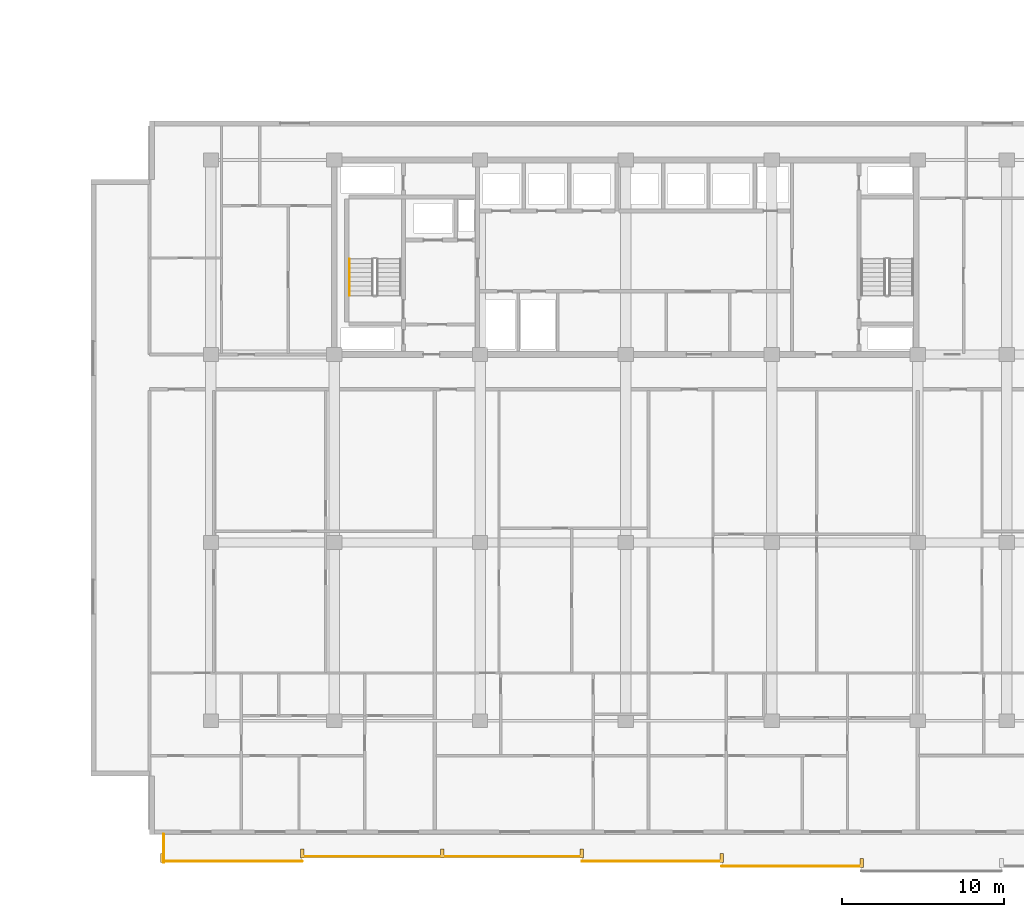
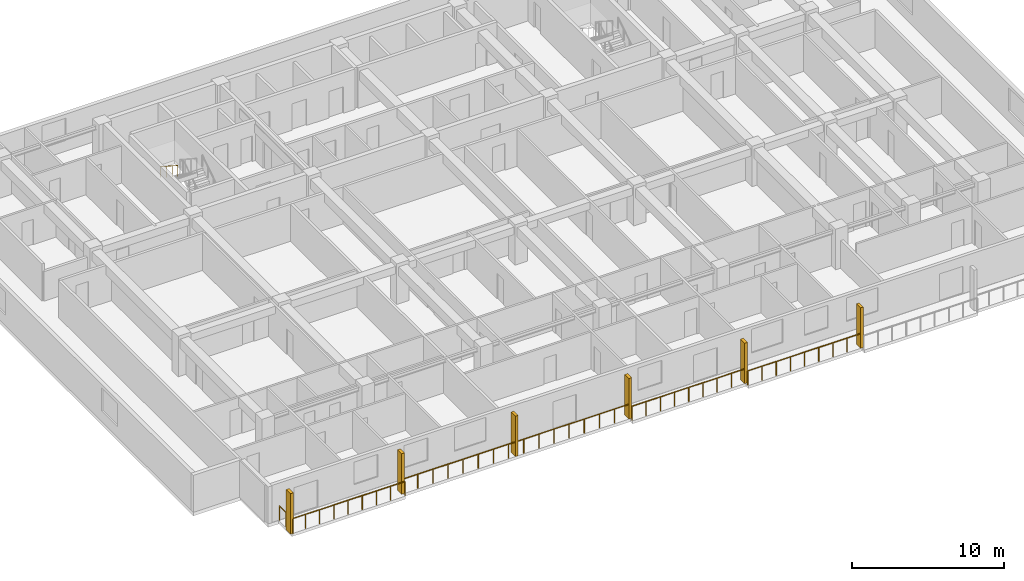
# One storey, part 19 of 23: 6 railings, 6 shading devices.
"""IFC4 building model written with IfcOpenShell, lengths in metres."""

import ifcopenshell
import ifcopenshell.guid

model = None  # the IFC model being written
_history = None  # IfcOwnerHistory: only IFC2X3 demands one
_inside = {}  # id of a spatial element -> (the spatial element, [elements in it])
_under = {}  # id of a project, library or spatial element -> (it, [spatial elements below it])
_declared = {}  # id of a project -> (the project, [libraries it declares])
_typed = {}  # id of a type object -> (the type object, [elements of that type])
_made_of = {}  # id of a material, layer set ... -> (it, [elements and type objects made of it])


def new_model(schema):
    """Start an empty IFC model of exactly this schema.

    Asked for "IFC4X3", IfcOpenShell would pick the latest addendum, in which some entities
    have other attributes; the version numbers below select the first issue.
    IFC2X3 requires an IfcOwnerHistory on every rooted entity: one is made here for all.
    """
    global model, _history
    if schema == "IFC4X3":
        model = ifcopenshell.file(schema_version=(4, 3, 0, 0))
    else:
        model = ifcopenshell.file(schema=schema)
    _inside.clear()
    _under.clear()
    _declared.clear()
    _typed.clear()
    _made_of.clear()
    _history = None
    if model.schema == "IFC2X3":
        org = make("IfcOrganization", Name="unknown")
        user = make(
            "IfcPersonAndOrganization",
            ThePerson=make("IfcPerson", FamilyName="unknown"),
            TheOrganization=org,
        )
        app = make(
            "IfcApplication",
            ApplicationDeveloper=org,
            Version="unknown",
            ApplicationFullName="unknown",
            ApplicationIdentifier="unknown",
        )
        _history = make(
            "IfcOwnerHistory",
            OwningUser=user,
            OwningApplication=app,
            ChangeAction="ADDED",
            CreationDate=0,
        )
    return model


def make(cls, **values):
    """One entity of the class cls with the attributes given. An attribute that is None is left unset."""
    return model.create_entity(
        cls, **{name: value for name, value in values.items() if value is not None}
    )


def rooted(cls, **values):
    """An entity with a GlobalId (a new one), such as an element, a storey or a relation."""
    return make(cls, GlobalId=ifcopenshell.guid.new(), OwnerHistory=_history, **values)


def si_unit(unit_type, name, prefix=None):
    """IfcSIUnit, for example si_unit("LENGTHUNIT", "METRE", prefix="MILLI")."""
    return make("IfcSIUnit", UnitType=unit_type, Prefix=prefix, Name=name)


def assignment(units):
    """IfcUnitAssignment: the units of a project."""
    return None if units is None else make("IfcUnitAssignment", Units=units)


def point(xyz):
    """IfcCartesianPoint."""
    return None if xyz is None else make("IfcCartesianPoint", Coordinates=xyz)


def direction(xyz):
    """IfcDirection."""
    return None if xyz is None else make("IfcDirection", DirectionRatios=xyz)


def frame(location, z_axis=None, x_axis=None):
    """IfcAxis2Placement3D, a coordinate frame: its origin and axes. An axis left out is left unset."""
    return make(
        "IfcAxis2Placement3D",
        Location=point(location),
        Axis=direction(z_axis),
        RefDirection=direction(x_axis),
    )


def frame_2d(location, x_axis=None):
    """IfcAxis2Placement2D, a coordinate frame in the plane: its origin and x axis."""
    return make(
        "IfcAxis2Placement2D", Location=point(location), RefDirection=direction(x_axis)
    )


def origin():
    """The frame at (0, 0, 0) with its axes left unset."""
    return frame((0.0, 0.0, 0.0))


def origin_2d():
    """The frame at (0, 0) in the plane with its x axis left unset."""
    return frame_2d((0.0, 0.0))


def place(relative_to, where):
    """IfcLocalPlacement: puts the frame where relative to a parent placement (None: the world)."""
    return make(
        "IfcLocalPlacement", PlacementRelTo=relative_to, RelativePlacement=where
    )


def context(
    kind, dimensions, precision=None, world=None, true_north=None, identifier=None
):
    """IfcGeometricRepresentationContext, for example the 3D "Model" context."""
    return make(
        "IfcGeometricRepresentationContext",
        ContextIdentifier=identifier,
        ContextType=kind,
        CoordinateSpaceDimension=dimensions,
        Precision=precision,
        WorldCoordinateSystem=world,
        TrueNorth=true_north,
    )


def subcontext(parent, identifier, kind, view, scale=None):
    """IfcGeometricRepresentationSubContext, for example "Body" below "Model"."""
    return make(
        "IfcGeometricRepresentationSubContext",
        ContextIdentifier=identifier,
        ContextType=kind,
        ParentContext=parent,
        TargetScale=scale,
        TargetView=view,
    )


def project(units=None, contexts=None):
    """IfcProject with its units and contexts."""
    return rooted(
        "IfcProject",
        Name="project",
        RepresentationContexts=contexts,
        UnitsInContext=assignment(units),
    )


def spatial(cls, under=None, at=None, **own):
    """A site, building, storey or space (cls), placed at a placement, below another one or the project."""
    s = rooted(cls, ObjectPlacement=at, **own)
    if under is not None:
        _under.setdefault(under.id(), (under, []))[1].append(s)
    return s


def profile(cls, at=None, kind="AREA", **sizes):
    """A parametric profile (cls). Its sizes go by their IFC names, for example OverallWidth=200.0."""
    return make(cls, ProfileType=kind, Position=at, **sizes)


def rectangle(**sizes):
    """IfcRectangleProfileDef."""
    return profile("IfcRectangleProfileDef", **sizes)


def circle(**sizes):
    """IfcCircleProfileDef."""
    return profile("IfcCircleProfileDef", **sizes)


def extrude(swept, where, along, depth):
    """IfcExtrudedAreaSolid: the profile swept, set in the frame where, extruded along a direction by depth."""
    return make(
        "IfcExtrudedAreaSolid",
        SweptArea=swept,
        Position=where,
        ExtrudedDirection=direction(along),
        Depth=depth,
    )


def shape(context_of_items, identifier, shape_type, items):
    """IfcShapeRepresentation: the items that make up one representation, for example the "Body"."""
    return make(
        "IfcShapeRepresentation",
        ContextOfItems=context_of_items,
        RepresentationIdentifier=identifier,
        RepresentationType=shape_type,
        Items=items,
    )


def material(Name=None, Category=None):
    """IfcMaterial."""
    return make("IfcMaterial", Name=Name, Category=Category)


def made_of(thing, what):
    """Note that an element or type object is made of a material, layer set ...; save() writes the relation."""
    if what is not None:
        _made_of.setdefault(what.id(), (what, []))[1].append(thing)
    return thing


def type_object(cls, material=None, **own):
    """A type object (cls), such as IfcWallType, which elements share."""
    return made_of(rooted(cls, **own), material)


def element(
    cls,
    number,
    at=None,
    inside=None,
    cuts=None,
    type_object=None,
    material=None,
    context=None,
    identifier="Body",
    shape_type=None,
    held_by="IfcProductDefinitionShape",
    body=None,
    shapes=None,
    **own,
):
    """One element of the class cls, such as IfcWall. Its Tag is "e" and its number.

    at: its placement. inside: the storey or other place that contains it. cuts: it is an
    opening in that element (IfcRelVoidsElement). A single representation is given by context,
    identifier, shape_type and body (its items); several are given by shapes. held_by: the class
    of the entity that holds the representations. save() writes the other relations.
    """
    e = rooted(cls, Tag="e%d" % number, ObjectPlacement=at, **own)
    if body is not None:
        shapes = [shape(context, identifier, shape_type, body)]
    if shapes is not None:
        e.Representation = make(held_by, Representations=shapes)
    if inside is not None:
        _inside.setdefault(inside.id(), (inside, []))[1].append(e)
    if cuts is not None:
        rooted(
            "IfcRelVoidsElement", RelatingBuildingElement=cuts, RelatedOpeningElement=e
        )
    if type_object is not None:
        _typed.setdefault(type_object.id(), (type_object, []))[1].append(e)
    return made_of(e, material)


def aggregate(whole, parts):
    """IfcRelAggregates: a whole, such as a stair, and the parts it consists of."""
    return rooted("IfcRelAggregates", RelatingObject=whole, RelatedObjects=parts)


def save(model, path):
    """Write the relations noted so far, then the file.

    IfcRelAggregates (storeys below a building ...), IfcRelContainedInSpatialStructure (elements
    in a storey), IfcRelDefinesByType, IfcRelAssociatesMaterial and IfcRelDeclares: one each for
    every whole, place, type object, material and project.
    """
    for whole, parts in _under.values():
        aggregate(whole, parts)
    for where, things in _inside.values():
        rooted(
            "IfcRelContainedInSpatialStructure",
            RelatedElements=things,
            RelatingStructure=where,
        )
    for kind, things in _typed.values():
        rooted("IfcRelDefinesByType", RelatedObjects=things, RelatingType=kind)
    for what, things in _made_of.values():
        rooted("IfcRelAssociatesMaterial", RelatedObjects=things, RelatingMaterial=what)
    for by, libraries in _declared.values():
        rooted("IfcRelDeclares", RelatingContext=by, RelatedDefinitions=libraries)
    model.write(path)


model = new_model("IFC4")

# Units and contexts
model_context = context("Model", 3, precision=1e-05, world=origin(), true_north=direction((0.0, 1.0)))
body_context = subcontext(model_context, "Body", "Model", "MODEL_VIEW")
ifc_project = project(units=[si_unit("LENGTHUNIT", "METRE"), si_unit("AREAUNIT", "SQUARE_METRE"), si_unit("VOLUMEUNIT", "CUBIC_METRE"), si_unit("PLANEANGLEUNIT", "RADIAN"), si_unit("MASSUNIT", "GRAM", prefix="KILO")], contexts=[model_context])

# Site, building, storey
site_placement = place(None, origin())
site = spatial("IfcSite", under=ifc_project, at=site_placement, CompositionType="ELEMENT")
building_placement = place(site_placement, origin())
building = spatial("IfcBuilding", under=site, at=building_placement, Name="Korimba Cascade Residences", CompositionType="ELEMENT")
storey_placement = place(building_placement, frame((0.0, 0.0, 72.75)))
storey = spatial("IfcBuildingStorey", under=building, at=storey_placement, Name="L20", CompositionType="ELEMENT", Elevation=72.75)

# Railings
ifc_material_1 = material(Name="Laminated Glass and Bronze Balustrade", Category="glass")
railing_type_1 = type_object("IfcRailingType", Name="RLG-LOG-1150", PredefinedType="BALUSTRADE", material=ifc_material_1)
railing_1_placement = place(storey_placement, frame((71.5, -12.8701171875, 0.0)))
element("IfcRailing", 1, at=railing_1_placement, inside=storey, type_object=railing_type_1, Name="L20 Perimeter Guardrail RLG-L20-T2-LOG-01", PredefinedType="BALUSTRADE", context=body_context, shape_type="SweptSolid", body=[
    extrude(circle(Radius=0.02392578125, at=origin_2d()), frame((0.0, 0.0, 1.1259765625), z_axis=(1.0, 0.0, 0.0), x_axis=(0.0, 1.0, 0.0)), (0.0, 0.0, 1.0), 8.628662109375),
    extrude(circle(Radius=0.02099609375, at=origin_2d()), origin(), (0.0, 0.0, 1.0), 1.101806640625),
    extrude(circle(Radius=0.02099609375, at=origin_2d()), frame((1.07861328125, 0.0, 0.0)), (0.0, 0.0, 1.0), 1.101806640625),
    extrude(circle(Radius=0.02099609375, at=origin_2d()), frame((2.1572265625, 0.0, 0.0)), (0.0, 0.0, 1.0), 1.101806640625),
    extrude(circle(Radius=0.02099609375, at=origin_2d()), frame((3.23583984375, 0.0, 0.0)), (0.0, 0.0, 1.0), 1.101806640625),
    extrude(circle(Radius=0.02099609375, at=origin_2d()), frame((4.314453125, 0.0, 0.0)), (0.0, 0.0, 1.0), 1.101806640625),
    extrude(circle(Radius=0.02099609375, at=origin_2d()), frame((5.392822265625, 0.0, 0.0)), (0.0, 0.0, 1.0), 1.101806640625),
    extrude(circle(Radius=0.02099609375, at=origin_2d()), frame((6.471435546875, 0.0, 0.0)), (0.0, 0.0, 1.0), 1.101806640625),
    extrude(circle(Radius=0.02099609375, at=origin_2d()), frame((7.550048828125, 0.0, 0.0)), (0.0, 0.0, 1.0), 1.101806640625),
    extrude(circle(Radius=0.02099609375, at=origin_2d()), frame((8.628662109375, 0.0, 0.0)), (0.0, 0.0, 1.0), 1.101806640625),
])
railing_2_placement = place(storey_placement, frame((80.128662109375, -12.570068359375, 0.0)))
element("IfcRailing", 2, at=railing_2_placement, inside=storey, type_object=railing_type_1, Name="L20 Perimeter Guardrail RLG-L20-T2-LOG-02", PredefinedType="BALUSTRADE", context=body_context, shape_type="SweptSolid", body=[
    extrude(circle(Radius=0.02392578125, at=origin_2d()), frame((0.0, 0.0, 1.1259765625), z_axis=(1.0, 0.0, 0.0), x_axis=(0.0, 1.0, 0.0)), (0.0, 0.0, 1.0), 17.257080078125),
    extrude(circle(Radius=0.02099609375, at=origin_2d()), origin(), (0.0, 0.0, 1.0), 1.101806640625),
    extrude(circle(Radius=0.02099609375, at=origin_2d()), frame((1.150390625, 0.0, 0.0)), (0.0, 0.0, 1.0), 1.101806640625),
    extrude(circle(Radius=0.02099609375, at=origin_2d()), frame((2.301025390625, 0.0, 0.0)), (0.0, 0.0, 1.0), 1.101806640625),
    extrude(circle(Radius=0.02099609375, at=origin_2d()), frame((3.451416015625, 0.0, 0.0)), (0.0, 0.0, 1.0), 1.101806640625),
    extrude(circle(Radius=0.02099609375, at=origin_2d()), frame((4.601806640625, 0.0, 0.0)), (0.0, 0.0, 1.0), 1.101806640625),
    extrude(circle(Radius=0.02099609375, at=origin_2d()), frame((5.75244140625, 0.0, 0.0)), (0.0, 0.0, 1.0), 1.101806640625),
    extrude(circle(Radius=0.02099609375, at=origin_2d()), frame((6.90283203125, 0.0, 0.0)), (0.0, 0.0, 1.0), 1.101806640625),
    extrude(circle(Radius=0.02099609375, at=origin_2d()), frame((8.05322265625, 0.0, 0.0)), (0.0, 0.0, 1.0), 1.101806640625),
    extrude(circle(Radius=0.02099609375, at=origin_2d()), frame((9.203857421875, 0.0, 0.0)), (0.0, 0.0, 1.0), 1.101806640625),
    extrude(circle(Radius=0.02099609375, at=origin_2d()), frame((10.354248046875, 0.0, 0.0)), (0.0, 0.0, 1.0), 1.101806640625),
    extrude(circle(Radius=0.02099609375, at=origin_2d()), frame((11.504638671875, 0.0, 0.0)), (0.0, 0.0, 1.0), 1.101806640625),
    extrude(circle(Radius=0.02099609375, at=origin_2d()), frame((12.6552734375, 0.0, 0.0)), (0.0, 0.0, 1.0), 1.101806640625),
    extrude(circle(Radius=0.02099609375, at=origin_2d()), frame((13.8056640625, 0.0, 0.0)), (0.0, 0.0, 1.0), 1.101806640625),
    extrude(circle(Radius=0.02099609375, at=origin_2d()), frame((14.9560546875, 0.0, 0.0)), (0.0, 0.0, 1.0), 1.101806640625),
    extrude(circle(Radius=0.02099609375, at=origin_2d()), frame((16.106689453125, 0.0, 0.0)), (0.0, 0.0, 1.0), 1.101806640625),
    extrude(circle(Radius=0.02099609375, at=origin_2d()), frame((17.257080078125, 0.0, 0.0)), (0.0, 0.0, 1.0), 1.101806640625),
])
railing_3_placement = place(storey_placement, frame((97.3857421875, -12.8701171875, 0.0)))
element("IfcRailing", 3, at=railing_3_placement, inside=storey, type_object=railing_type_1, Name="L20 Perimeter Guardrail RLG-L20-T2-LOG-03", PredefinedType="BALUSTRADE", context=body_context, shape_type="SweptSolid", body=[
    extrude(circle(Radius=0.02392578125, at=origin_2d()), frame((0.0, 0.0, 1.1259765625), z_axis=(1.0, 0.0, 0.0), x_axis=(0.0, 1.0, 0.0)), (0.0, 0.0, 1.0), 8.628662109375),
    extrude(circle(Radius=0.02099609375, at=origin_2d()), origin(), (0.0, 0.0, 1.0), 1.101806640625),
    extrude(circle(Radius=0.02099609375, at=origin_2d()), frame((1.07861328125, 0.0, 0.0)), (0.0, 0.0, 1.0), 1.101806640625),
    extrude(circle(Radius=0.02099609375, at=origin_2d()), frame((2.1572265625, 0.0, 0.0)), (0.0, 0.0, 1.0), 1.101806640625),
    extrude(circle(Radius=0.02099609375, at=origin_2d()), frame((3.23583984375, 0.0, 0.0)), (0.0, 0.0, 1.0), 1.101806640625),
    extrude(circle(Radius=0.02099609375, at=origin_2d()), frame((4.314453125, 0.0, 0.0)), (0.0, 0.0, 1.0), 1.101806640625),
    extrude(circle(Radius=0.02099609375, at=origin_2d()), frame((5.392822265625, 0.0, 0.0)), (0.0, 0.0, 1.0), 1.101806640625),
    extrude(circle(Radius=0.02099609375, at=origin_2d()), frame((6.471435546875, 0.0, 0.0)), (0.0, 0.0, 1.0), 1.101806640625),
    extrude(circle(Radius=0.02099609375, at=origin_2d()), frame((7.550048828125, 0.0, 0.0)), (0.0, 0.0, 1.0), 1.101806640625),
    extrude(circle(Radius=0.02099609375, at=origin_2d()), frame((8.628662109375, 0.0, 0.0)), (0.0, 0.0, 1.0), 1.101806640625),
])
railing_4_placement = place(storey_placement, frame((106.014404296875, -13.169921875, 0.0)))
element("IfcRailing", 4, at=railing_4_placement, inside=storey, type_object=railing_type_1, Name="L20 Perimeter Guardrail RLG-L20-T2-LOG-04", PredefinedType="BALUSTRADE", context=body_context, shape_type="SweptSolid", body=[
    extrude(circle(Radius=0.02392578125, at=origin_2d()), frame((0.0, 0.0, 1.1259765625), z_axis=(1.0, 0.0, 0.0), x_axis=(0.0, 1.0, 0.0)), (0.0, 0.0, 1.0), 8.62841796875),
    extrude(circle(Radius=0.02099609375, at=origin_2d()), origin(), (0.0, 0.0, 1.0), 1.101806640625),
    extrude(circle(Radius=0.02099609375, at=origin_2d()), frame((1.07861328125, 0.0, 0.0)), (0.0, 0.0, 1.0), 1.101806640625),
    extrude(circle(Radius=0.02099609375, at=origin_2d()), frame((2.1572265625, 0.0, 0.0)), (0.0, 0.0, 1.0), 1.101806640625),
    extrude(circle(Radius=0.02099609375, at=origin_2d()), frame((3.235595703125, 0.0, 0.0)), (0.0, 0.0, 1.0), 1.101806640625),
    extrude(circle(Radius=0.02099609375, at=origin_2d()), frame((4.314208984375, 0.0, 0.0)), (0.0, 0.0, 1.0), 1.101806640625),
    extrude(circle(Radius=0.02099609375, at=origin_2d()), frame((5.392822265625, 0.0, 0.0)), (0.0, 0.0, 1.0), 1.101806640625),
    extrude(circle(Radius=0.02099609375, at=origin_2d()), frame((6.47119140625, 0.0, 0.0)), (0.0, 0.0, 1.0), 1.101806640625),
    extrude(circle(Radius=0.02099609375, at=origin_2d()), frame((7.5498046875, 0.0, 0.0)), (0.0, 0.0, 1.0), 1.101806640625),
    extrude(circle(Radius=0.02099609375, at=origin_2d()), frame((8.62841796875, 0.0, 0.0)), (0.0, 0.0, 1.0), 1.101806640625),
])
railing_5_placement = place(storey_placement, frame((71.580078125, -11.199951171875, 0.0)))
element("IfcRailing", 5, at=railing_5_placement, inside=storey, type_object=railing_type_1, Name="L20 Perimeter Guardrail RLG-L20-T2-LOG-08", PredefinedType="BALUSTRADE", context=body_context, shape_type="SweptSolid", body=[
    extrude(circle(Radius=0.02392578125, at=origin_2d()), frame((0.0, 0.0, 1.1259765625), z_axis=(0.0, -1.0, 0.0), x_axis=(1.0, 0.0, 0.0)), (0.0, 0.0, 1.0), 1.75),
    extrude(circle(Radius=0.02099609375, at=origin_2d()), origin(), (0.0, 0.0, 1.0), 1.101806640625),
    extrude(circle(Radius=0.02099609375, at=origin_2d()), frame((0.0, -0.875, 0.0)), (0.0, 0.0, 1.0), 1.101806640625),
    extrude(circle(Radius=0.02099609375, at=origin_2d()), frame((0.0, -1.75, 0.0)), (0.0, 0.0, 1.0), 1.101806640625),
])
ifc_material_2 = material(Name="Brushed Stainless Steel Handrail", Category="steel")
railing_type_2 = type_object("IfcRailingType", Name="RLG-ST-HR900", PredefinedType="HANDRAIL", material=ifc_material_2)
railing_6_placement = place(storey_placement, frame((83.050048828125, 24.2900390625, 1.989990234375)))
element("IfcRailing", 6, at=railing_6_placement, inside=storey, type_object=railing_type_2, Name="L20 ST-E1 stair handrail 2", PredefinedType="HANDRAIL", context=body_context, shape_type="SweptSolid", body=[
    extrude(circle(Radius=0.02392578125, at=origin_2d()), frame((0.0, 0.0, 0.8759765625), z_axis=(0.0, -0.840436612492, 0.541909863706), x_axis=(1.0, 0.0, 0.0)), (0.0, 0.0, 1.0), 2.665283203125),
    extrude(circle(Radius=0.02099609375, at=origin_2d()), origin(), (0.0, 0.0, 1.0), 0.851806640625),
    extrude(circle(Radius=0.02099609375, at=origin_2d()), frame((0.0, -0.74658203125, 0.4814453125)), (0.0, 0.0, 1.0), 0.851806640625),
    extrude(circle(Radius=0.02099609375, at=origin_2d()), frame((0.0, -1.493408203125, 0.962890625)), (0.0, 0.0, 1.0), 0.851806640625),
    extrude(circle(Radius=0.02099609375, at=origin_2d()), frame((0.0, -2.239990234375, 1.4443359375)), (0.0, 0.0, 1.0), 0.851806640625),
])

# Shading devices
ifc_material_3 = material(Name="Honed Sandstone Precast Fin", Category="masonry")
shading_device_type = type_object("IfcShadingDeviceType", Name="SHD-FIN-550", PredefinedType="USERDEFINED", material=ifc_material_3)
for number, where, z_axis, x_axis, name in (
    (7, (71.5, -12.675048828125, 0.0), (0.0, 0.0, 1.0), (1.0, 0.0, 0.0), "L20 T2 Warm-Stone Loggia Fin 1"),
    (8, (80.128662109375, -12.375, 0.0), (0.0, 0.0, 1.0), (1.0, 0.0, 0.0), "L20 T2 Warm-Stone Loggia Fin 2"),
    (9, (88.757080078125, -12.375, 0.0), (0.0, 0.0, 1.0), (1.0, 0.0, 0.0), "L20 T2 Warm-Stone Loggia Fin 3"),
    (10, (97.3857421875, -12.375, 0.0), (0.0, 0.0, 1.0), (1.0, 0.0, 0.0), "L20 T2 Warm-Stone Loggia Fin 4"),
    (11, (106.014404296875, -12.675048828125, 0.0), (0.0, 0.0, 1.0), (1.0, 0.0, 0.0), "L20 T2 Warm-Stone Loggia Fin 5"),
    (12, (114.642822265625, -12.97509765625, 0.0), (0.0, 0.0, 1.0), (1.0, 0.0, 0.0), "L20 T2 Warm-Stone Loggia Fin 6"),
):
    element("IfcShadingDevice", number, at=place(storey_placement, frame(where, z_axis=z_axis, x_axis=x_axis)), inside=storey, type_object=shading_device_type, Name=name, ObjectType="FIN", PredefinedType="USERDEFINED", context=body_context, shape_type="SweptSolid", body=[
        extrude(rectangle(XDim=0.219970703125, YDim=0.550048828125, at=origin_2d()), origin(), (0.0, 0.0, 1.0), 3.25),
    ])

save(model, "model.ifc")
